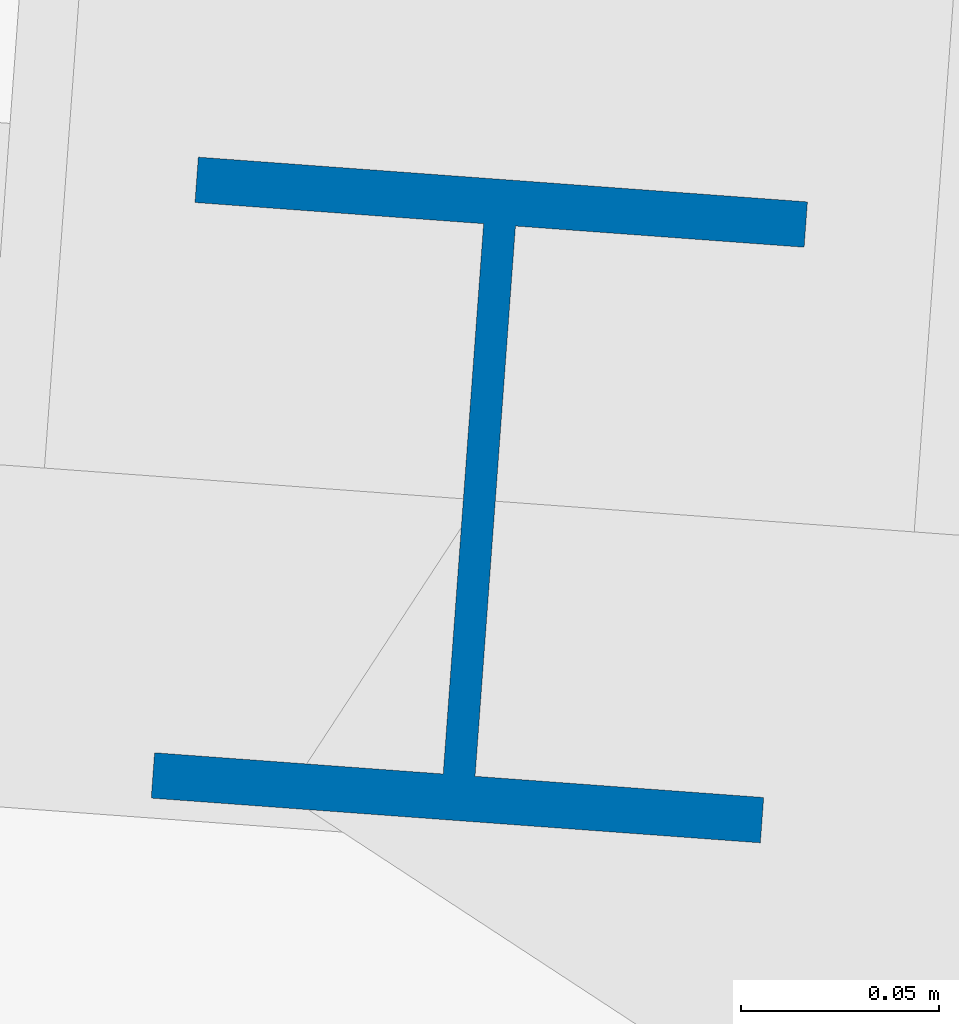
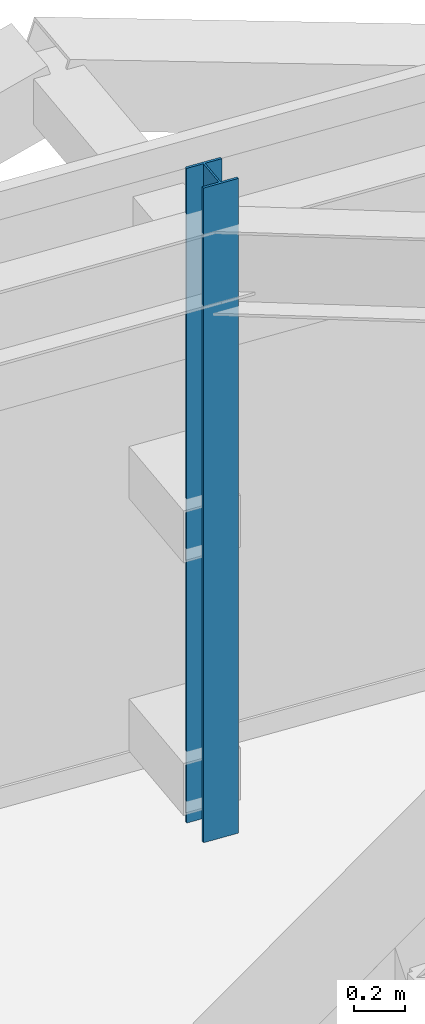
# One storey, part 8 of 42: 1 column.
"""IFC4 building model written with IfcOpenShell, lengths in metres."""

from ifc_helpers import new_model, si_unit, direction, frame, origin, origin_2d, place, context, subcontext, project, spatial, i_section, extrude, source, transform, mapped, material, material_profile, profile_set, type_object, element, save


model = new_model("IFC4")

# Units and contexts
model_context = context("Model", 3, precision=1e-05, world=origin(), true_north=direction((0.0, 1.0)))
body_context = subcontext(model_context, "Body", "Model", "MODEL_VIEW")
ifc_project = project(units=[si_unit("LENGTHUNIT", "METRE"), si_unit("AREAUNIT", "SQUARE_METRE"), si_unit("VOLUMEUNIT", "CUBIC_METRE"), si_unit("PLANEANGLEUNIT", "RADIAN"), si_unit("MASSUNIT", "GRAM", prefix="KILO")], contexts=[model_context])

# Site, building, storey
site_placement = place(None, origin())
site = spatial("IfcSite", under=ifc_project, at=site_placement, CompositionType="ELEMENT")
building_placement = place(site_placement, origin())
building = spatial("IfcBuilding", under=site, at=building_placement, Name="Taldren Reach Tower", CompositionType="ELEMENT")
storey_placement = place(building_placement, frame((0.0, 0.0, 214.550048828125)))
storey = spatial("IfcBuildingStorey", under=building, at=storey_placement, Name="L65", CompositionType="ELEMENT", Elevation=214.550048828125)

# Column
ifc_material = material(Name="Steel Gr 350 (350PLUS)", Category="steel")
ifc_material_profile = material_profile(ifc_material, i_section(OverallWidth=0.154052734375, OverallDepth=0.162109375, WebThickness=0.008056640625, FlangeThickness=0.011474609375, at=origin_2d()), Name="150UC37.2")
ifc_profile_set = profile_set([ifc_material_profile], Name="Steel Gr 350 (350PLUS)")
column_type = type_object("IfcColumnType", Name="COL-UC150", PredefinedType="COLUMN", material=ifc_profile_set)
shared_shape = source(origin(), body_context, "Body", "SweptSolid", [
    extrude(i_section(OverallWidth=0.154052734375, OverallDepth=0.162109375, WebThickness=0.008056640625, FlangeThickness=0.011474609375, at=origin_2d()), origin(), (0.0, 0.0, 1.0), 3.14990234375),
])
column_placement = place(storey_placement, frame((47.199462890625, 34.487548828125, 0.0), z_axis=(0.0, 0.0, 1.0), x_axis=(0.997314477224, -0.073238197128, 0.0)))
element("IfcColumn", 1, at=column_placement, inside=storey, type_object=column_type, Name="Block B5 perimeter column N5 L65", PredefinedType="COLUMN", context=body_context, shape_type="MappedRepresentation", body=[
    mapped(shared_shape, transform((0.0, 0.0, 0.0), scale=1.0)),
])

save(model, "model.ifc")
